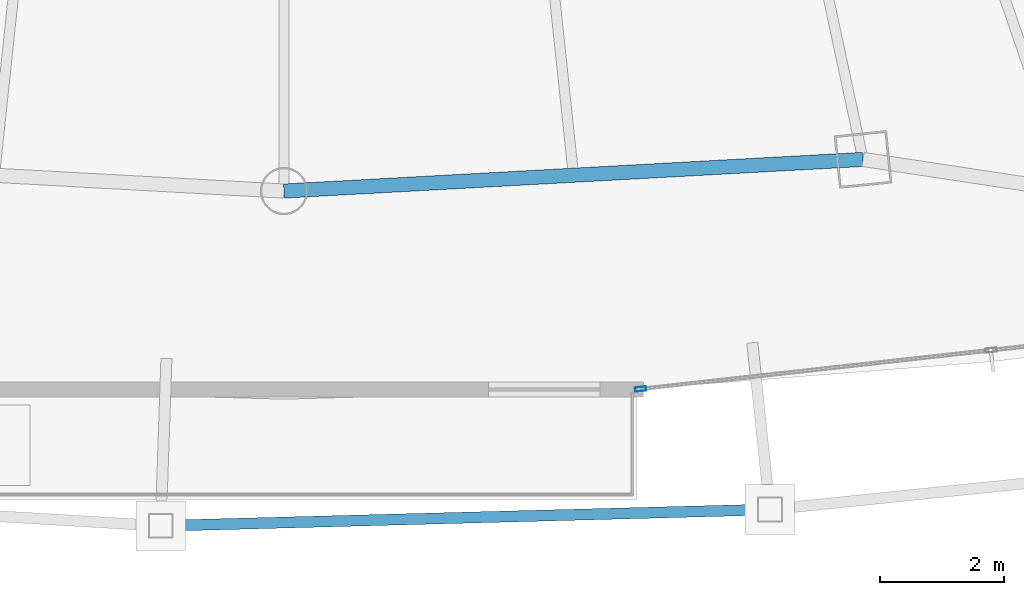
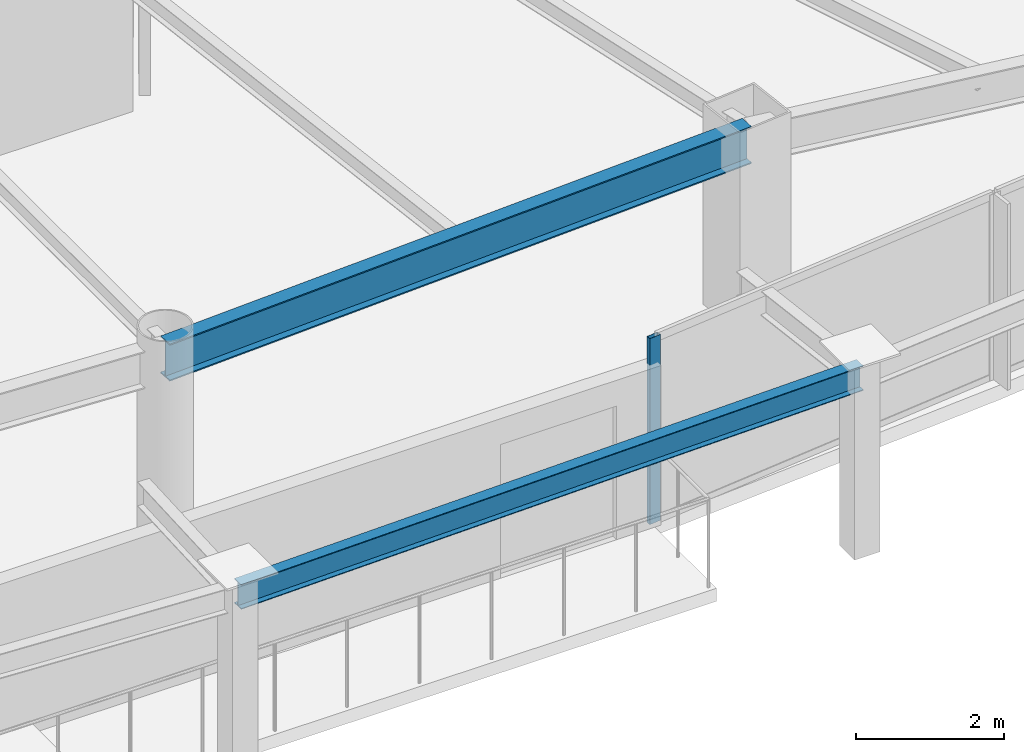
# One storey, part 8 of 31: 2 beams, 1 member, 1 element without a shape of its own.
"""IFC4 building model written with IfcOpenShell, lengths in metres."""

from ifc_helpers import new_model, si_unit, direction, frame, origin, origin_2d, place, context, subcontext, project, spatial, hollow_rectangle, i_section, extrude, material, layer, layer_set, material_profile, profile_set, type_object, element, aggregate, save


model = new_model("IFC4")

# Units and contexts
model_context = context("Model", 3, precision=1e-05, world=origin(), true_north=direction((0.0, 1.0)))
body_context = subcontext(model_context, "Body", "Model", "MODEL_VIEW")
ifc_project = project(units=[si_unit("LENGTHUNIT", "METRE"), si_unit("AREAUNIT", "SQUARE_METRE"), si_unit("VOLUMEUNIT", "CUBIC_METRE"), si_unit("PLANEANGLEUNIT", "RADIAN"), si_unit("MASSUNIT", "GRAM", prefix="KILO")], contexts=[model_context])

# Site, building, storey
site_placement = place(None, origin())
site = spatial("IfcSite", under=ifc_project, at=site_placement, CompositionType="ELEMENT")
building_placement = place(site_placement, origin())
building = spatial("IfcBuilding", under=site, at=building_placement, Name="Orvanel Arch Residences", CompositionType="ELEMENT")
storey_placement = place(building_placement, frame((0.0, 0.0, 157.25)))
storey = spatial("IfcBuildingStorey", under=building, at=storey_placement, Name="L44", CompositionType="ELEMENT", Elevation=157.25)

# Curtain wall, member
ifc_material_1 = material(Name="Bronze-anodised aluminium AA6063-T6", Category="aluminium")
ifc_layer = layer(ifc_material_1, 0.179931640625)
ifc_layer_set = layer_set([ifc_layer], Name="Bronze-anodised aluminium AA6063-T6")
curtain_wall_type = type_object("IfcCurtainWallType", Name="CW3-MID-SYS", PredefinedType="NOTDEFINED", material=ifc_layer_set)
curtain_wall_placement = place(storey_placement, origin())
curtain_wall = element("IfcCurtainWall", 1, at=curtain_wall_placement, inside=storey, type_object=curtain_wall_type, Name="L44 CW3-MID-SYS Unitised Curtain Wall", PredefinedType="NOTDEFINED")
ifc_material_profile_1 = material_profile(ifc_material_1, hollow_rectangle(XDim=0.070068359375, YDim=0.179931640625, WallThickness=0.00439453125, at=origin_2d()), Name="ALU180x70x4.5")
ifc_profile_set_1 = profile_set([ifc_material_profile_1], Name="Bronze-anodised aluminium AA6063-T6")
member_type = type_object("IfcMemberType", Name="MUL-180x70", PredefinedType="MULLION", material=ifc_profile_set_1)
member_placement = place(storey_placement, frame((38.7587890625, 3.64697265625, 0.0), z_axis=(0.0, 0.0, 1.0), x_axis=(-0.110374021666, 0.993890122368, 0.0)))
member = element("IfcMember", 2, at=member_placement, type_object=member_type, Name="CW-S3 mullion 1", PredefinedType="MULLION", context=body_context, shape_type="SweptSolid", body=[
    extrude(hollow_rectangle(XDim=0.070068359375, YDim=0.179931640625, WallThickness=0.00439453125, at=origin_2d()), origin(), (0.0, 0.0, 1.0), 3.06005859375),
])
aggregate(curtain_wall, [member])

# Beams
ifc_material_2 = material(Name="Structural steel AS/NZS 3679.1 Grade 300 (300 MPa)", Category="steel")
ifc_material_profile_2 = material_profile(ifc_material_2, i_section(OverallWidth=0.177978515625, OverallDepth=0.406005859375, WebThickness=0.0078125, FlangeThickness=0.0126953125, at=origin_2d()), Name="410UB59.7")
ifc_profile_set_2 = profile_set([ifc_material_profile_2], Name="Structural steel AS/NZS 3679.1 Grade 300 (300 MPa)")
beam_type_1 = type_object("IfcBeamType", Name="OB-410UB-EXT", PredefinedType="SPANDREL", material=ifc_profile_set_2)
beam_1_placement = place(storey_placement, frame((31.010009765625, 1.43798828125, 2.85693359375), z_axis=(0.999640292607, 0.026819496583, 0.0), x_axis=(-0.026819496583, 0.999640292607, 0.0)))
element("IfcBeam", 3, at=beam_1_placement, inside=storey, type_object=beam_type_1, Name="L44 Outer Perimeter Floor Ring Beam 06", PredefinedType="SPANDREL", context=body_context, shape_type="SweptSolid", body=[
    extrude(i_section(OverallWidth=0.177978515625, OverallDepth=0.406005859375, WebThickness=0.0078125, FlangeThickness=0.0126953125, at=origin_2d()), origin(), (0.0, 0.0, 1.0), 9.84033203125),
])
ifc_material_profile_3 = material_profile(ifc_material_2, i_section(OverallWidth=0.22900390625, OverallDepth=0.612060546875, WebThickness=0.011962890625, FlangeThickness=0.01953125, at=origin_2d()), Name="610UB125")
ifc_profile_set_3 = profile_set([ifc_material_profile_3], Name="Structural steel AS/NZS 3679.1 Grade 300 (300 MPa)")
beam_type_2 = type_object("IfcBeamType", Name="SP-610UB", PredefinedType="SPANDREL", material=ifc_profile_set_3)
beam_2_placement = place(storey_placement, frame((33.0, 6.843994140625, 2.75390625), z_axis=(0.998510315598, 0.054563262768, 0.0), x_axis=(-0.054563262768, 0.998510315598, 0.0)))
element("IfcBeam", 4, at=beam_2_placement, inside=storey, type_object=beam_type_2, Name="L44 Perimeter Spandrel Beam 06", PredefinedType="SPANDREL", context=body_context, shape_type="SweptSolid", body=[
    extrude(i_section(OverallWidth=0.22900390625, OverallDepth=0.612060546875, WebThickness=0.011962890625, FlangeThickness=0.01953125, at=origin_2d()), origin(), (0.0, 0.0, 1.0), 9.364990234375),
])

save(model, "model.ifc")
